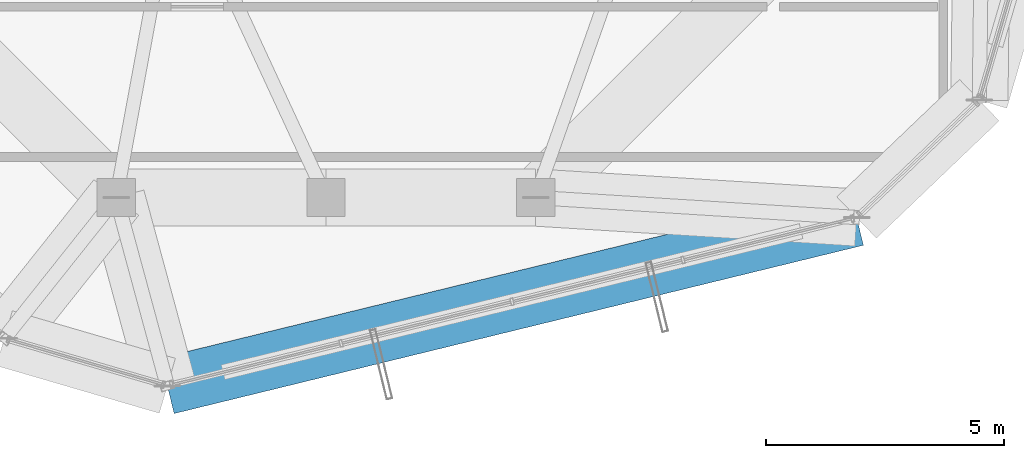
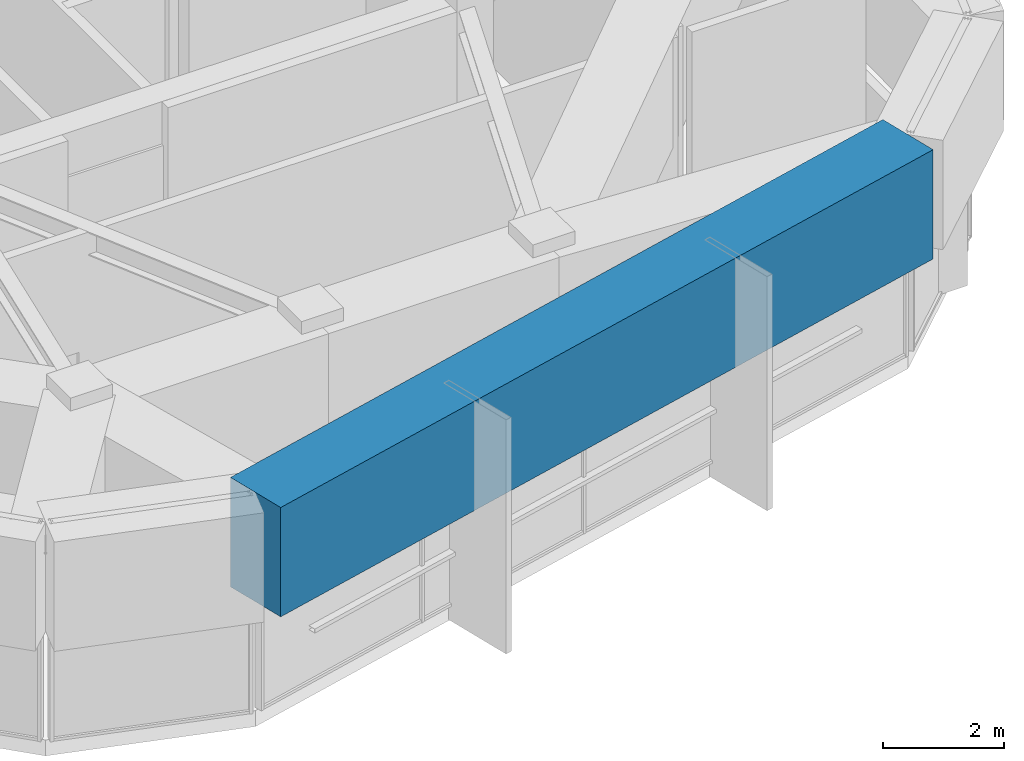
# One storey, part 9 of 39: 1 beam.
"""IFC4 building model written with IfcOpenShell, lengths in metres."""

from ifc_helpers import new_model, si_unit, direction, frame, origin, origin_2d, place, context, subcontext, project, spatial, rectangle, extrude, material, material_profile, profile_set, type_object, element, save


model = new_model("IFC4")

# Units and contexts
model_context = context("Model", 3, precision=1e-05, world=origin(), true_north=direction((0.0, 1.0)))
body_context = subcontext(model_context, "Body", "Model", "MODEL_VIEW")
ifc_project = project(units=[si_unit("LENGTHUNIT", "METRE"), si_unit("AREAUNIT", "SQUARE_METRE"), si_unit("VOLUMEUNIT", "CUBIC_METRE"), si_unit("PLANEANGLEUNIT", "RADIAN"), si_unit("MASSUNIT", "GRAM", prefix="KILO")], contexts=[model_context])

# Site, building, storey
site_placement = place(None, origin())
site = spatial("IfcSite", under=ifc_project, at=site_placement, CompositionType="ELEMENT")
building_placement = place(site_placement, origin())
building = spatial("IfcBuilding", under=site, at=building_placement, Name="Veraguas Prism Commons", CompositionType="ELEMENT")
storey_placement = place(building_placement, frame((0.0, 0.0, 264.25)))
storey = spatial("IfcBuildingStorey", under=building, at=storey_placement, Name="L75", CompositionType="ELEMENT", Elevation=264.25)

# Beam
ifc_material = material(Name="Concrete C50/60", Category="concrete")
ifc_material_profile = material_profile(ifc_material, rectangle(XDim=1.199951171875, YDim=2.199951171875, at=origin_2d()), Name="RC1200X2200")
ifc_profile_set = profile_set([ifc_material_profile], Name="Concrete C50/60")
beam_type = type_object("IfcBeamType", Name="Podium Transfer Girder RC 1200x2200", PredefinedType="BEAM", material=ifc_profile_set)
beam_placement = place(storey_placement, frame((20.671875, 6.249755859375, 3.2900390625), z_axis=(0.971464876614, 0.237183459594, 0.0), x_axis=(-0.237183459594, 0.971464876614, 0.0)))
element("IfcBeam", 1, at=beam_placement, inside=storey, type_object=beam_type, Name="Crown Base Ring Beam L75-10", PredefinedType="BEAM", context=body_context, shape_type="SweptSolid", body=[
    extrude(rectangle(XDim=1.199951171875, YDim=2.199951171875, at=origin_2d()), origin(), (0.0, 0.0, 1.0), 14.88623046875),
])

save(model, "model.ifc")
